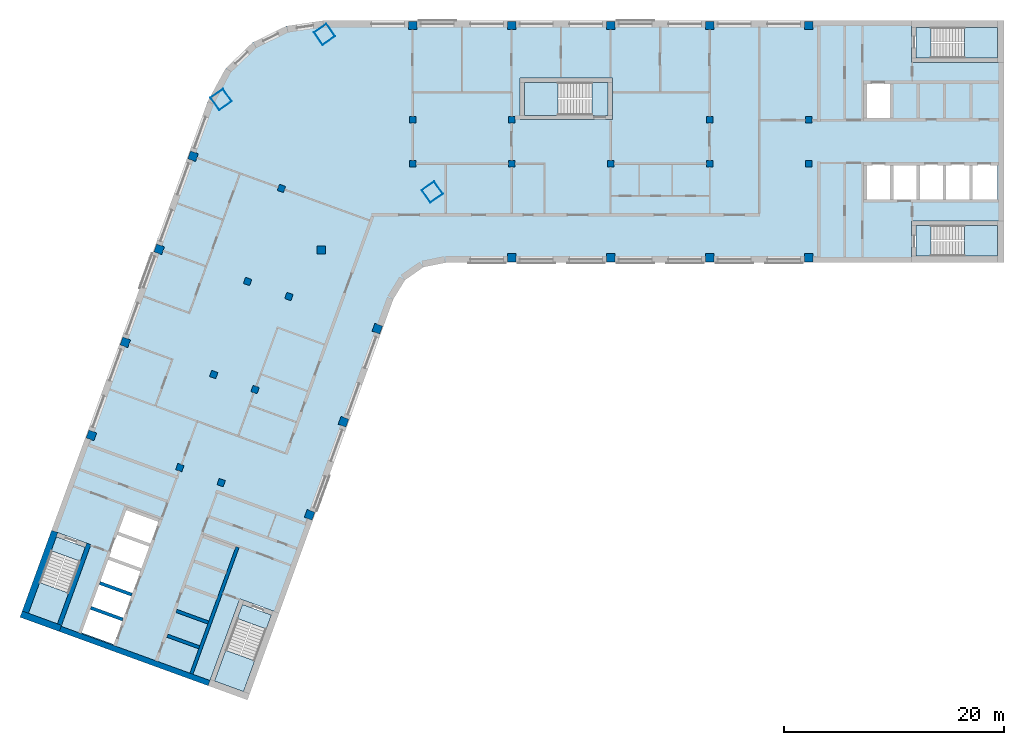
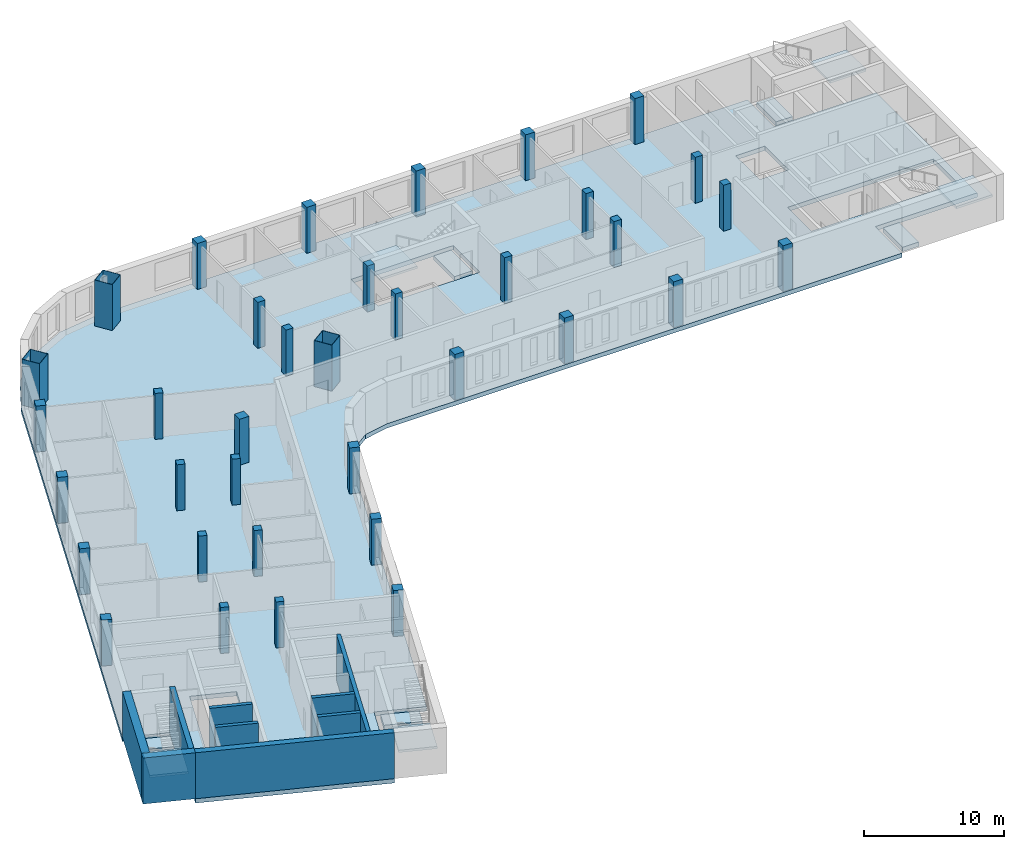
# One storey, part 1 of 8: 36 columns, 11 slabs, 9 walls, 5 elements without a shape of their own.
"""IFC4 building model written with IfcOpenShell, lengths in metres."""

from ifc_helpers import new_model, si_unit, direction, frame, frame_2d, origin, origin_2d, place, context, subcontext, project, spatial, polyline, rectangle, hollow_rectangle, outline, extrude, material, layer, layer_set, material_profile, profile_set, type_object, element, aggregate, save


model = new_model("IFC4")

# Units and contexts
model_context = context("Model", 3, precision=1e-05, world=origin(), true_north=direction((0.0, 1.0)))
body_context = subcontext(model_context, "Body", "Model", "MODEL_VIEW")
ifc_project = project(units=[si_unit("LENGTHUNIT", "METRE"), si_unit("AREAUNIT", "SQUARE_METRE"), si_unit("VOLUMEUNIT", "CUBIC_METRE"), si_unit("PLANEANGLEUNIT", "RADIAN"), si_unit("MASSUNIT", "GRAM", prefix="KILO")], contexts=[model_context])

# Site, building, storey
site_placement = place(None, origin())
site = spatial("IfcSite", under=ifc_project, at=site_placement, CompositionType="ELEMENT")
building_placement = place(site_placement, origin())
building = spatial("IfcBuilding", under=site, at=building_placement, Name="Skarvind Civic Tower", CompositionType="ELEMENT")
storey_placement = place(building_placement, frame((0.0, 0.0, 220.0)))
storey = spatial("IfcBuildingStorey", under=building, at=storey_placement, Name="L52", CompositionType="ELEMENT", Elevation=220.0)

# Columns
ifc_material_1 = material(Name="Concrete C60", Category="concrete")
ifc_material_profile_1 = material_profile(ifc_material_1, rectangle(XDim=0.60009765625, YDim=0.60009765625, at=origin_2d()), Name="RC-600x600")
ifc_profile_set_1 = profile_set([ifc_material_profile_1], Name="Concrete C60")
column_type_1 = type_object("IfcColumnType", Name="Column RC-600x600 C60", PredefinedType="COLUMN", material=ifc_profile_set_1)
for number, where, z_axis, x_axis, name in (
    (1, (54.25, 130.0, 0.0), (0.0, 0.0, 1.0), (1.0, 0.0, 0.0), "Column wing 1 north inner 02 L52"),
    (2, (63.25, 130.0, 0.0), (0.0, 0.0, 1.0), (1.0, 0.0, 0.0), "Column wing 1 north inner 03 L52"),
    (3, (81.25, 130.0, 0.0), (0.0, 0.0, 1.0), (1.0, 0.0, 0.0), "Column wing 1 north inner 05 L52"),
    (4, (90.25, 130.0, 0.0), (0.0, 0.0, 1.0), (1.0, 0.0, 0.0), "Column wing 1 north inner 06 L52"),
    (5, (54.25, 126.0, 0.0), (0.0, 0.0, 1.0), (1.0, 0.0, 0.0), "Column wing 1 south inner 02 L52"),
    (6, (63.25, 126.0, 0.0), (0.0, 0.0, 1.0), (1.0, 0.0, 0.0), "Column wing 1 south inner 03 L52"),
    (7, (72.25, 126.0, 0.0), (0.0, 0.0, 1.0), (1.0, 0.0, 0.0), "Column wing 1 south inner 04 L52"),
    (8, (81.25, 126.0, 0.0), (0.0, 0.0, 1.0), (1.0, 0.0, 0.0), "Column wing 1 south inner 05 L52"),
    (9, (90.25, 126.0, 0.0), (0.0, 0.0, 1.0), (1.0, 0.0, 0.0), "Column wing 1 south inner 06 L52"),
    (10, (43.005615234375, 113.92529296875, 0.0), (0.0, 0.0, 1.0), (-0.342020143326, -0.939692620786, 0.0), "Column wing 2 left inner 02 L52"),
    (11, (39.927490234375, 105.468017578125, 0.0), (0.0, 0.0, 1.0), (-0.342020143326, -0.939692620786, 0.0), "Column wing 2 left inner 03 L52"),
    (12, (36.84912109375, 97.010986328125, 0.0), (0.0, 0.0, 1.0), (-0.342020143326, -0.939692620786, 0.0), "Column wing 2 left inner 04 L52"),
    (13, (42.324951171875, 123.750732421875, 0.0), (0.0, 0.0, 1.0), (-0.342020143326, -0.939692620786, 0.0), "Column wing 2 right inner 01 L52"),
    (14, (39.246826171875, 115.29345703125, 0.0), (0.0, 0.0, 1.0), (-0.342020143326, -0.939692620786, 0.0), "Column wing 2 right inner 02 L52"),
    (15, (36.168701171875, 106.836181640625, 0.0), (0.0, 0.0, 1.0), (-0.342020143326, -0.939692620786, 0.0), "Column wing 2 right inner 03 L52"),
    (16, (33.090576171875, 98.37890625, 0.0), (0.0, 0.0, 1.0), (-0.342020143326, -0.939692620786, 0.0), "Column wing 2 right inner 04 L52"),
):
    element("IfcColumn", number, at=place(storey_placement, frame(where, z_axis=z_axis, x_axis=x_axis)), inside=storey, type_object=column_type_1, Name=name, PredefinedType="COLUMN", context=body_context, shape_type="SweptSolid", body=[
        extrude(rectangle(XDim=0.60009765625, YDim=0.60009765625, at=origin_2d()), origin(), (0.0, 0.0, 1.0), 4.0),
    ])
ifc_material_profile_2 = material_profile(ifc_material_1, rectangle(XDim=0.75, YDim=0.75, at=origin_2d()), Name="RC-750x750")
ifc_profile_set_2 = profile_set([ifc_material_profile_2], Name="Concrete C60")
column_type_2 = type_object("IfcColumnType", Name="Column RC-750x750 C60", PredefinedType="COLUMN", material=ifc_profile_set_2)
for number, where, z_axis, x_axis, name in (
    (17, (54.25, 138.550048828125, 0.0), (0.0, 0.0, 1.0), (1.0, 0.0, 0.0), "Column wing 1 north perimeter 02 L52"),
    (18, (63.25, 138.550048828125, 0.0), (0.0, 0.0, 1.0), (1.0, 0.0, 0.0), "Column wing 1 north perimeter 03 L52"),
    (19, (72.25, 138.550048828125, 0.0), (0.0, 0.0, 1.0), (1.0, 0.0, 0.0), "Column wing 1 north perimeter 04 L52"),
    (20, (81.25, 138.550048828125, 0.0), (0.0, 0.0, 1.0), (1.0, 0.0, 0.0), "Column wing 1 north perimeter 05 L52"),
    (21, (90.25, 138.550048828125, 0.0), (0.0, 0.0, 1.0), (1.0, 0.0, 0.0), "Column wing 1 north perimeter 06 L52"),
    (22, (45.95166015625, 118.151611328125, 0.0), (0.0, 0.0, 1.0), (1.0, 0.0, 0.0), "Column wing 1 south perimeter 01 L52"),
    (23, (63.25, 117.449951171875, 0.0), (0.0, 0.0, 1.0), (1.0, 0.0, 0.0), "Column wing 1 south perimeter 03 L52"),
    (24, (72.25, 117.449951171875, 0.0), (0.0, 0.0, 1.0), (1.0, 0.0, 0.0), "Column wing 1 south perimeter 04 L52"),
    (25, (81.25, 117.449951171875, 0.0), (0.0, 0.0, 1.0), (1.0, 0.0, 0.0), "Column wing 1 south perimeter 05 L52"),
    (26, (90.25, 117.449951171875, 0.0), (0.0, 0.0, 1.0), (1.0, 0.0, 0.0), "Column wing 1 south perimeter 06 L52"),
    (27, (51.0400390625, 111.0009765625, 0.0), (0.0, 0.0, 1.0), (-0.342020143326, -0.939692620786, 0.0), "Column wing 2 left perimeter 02 L52"),
    (28, (47.961669921875, 102.5439453125, 0.0), (0.0, 0.0, 1.0), (-0.342020143326, -0.939692620786, 0.0), "Column wing 2 left perimeter 03 L52"),
    (29, (44.883544921875, 94.086669921875, 0.0), (0.0, 0.0, 1.0), (-0.342020143326, -0.939692620786, 0.0), "Column wing 2 left perimeter 04 L52"),
    (30, (34.29052734375, 126.6748046875, 0.0), (0.0, 0.0, 1.0), (-0.342020143326, -0.939692620786, 0.0), "Column wing 2 right perimeter 01 L52"),
    (31, (31.21240234375, 118.2177734375, 0.0), (0.0, 0.0, 1.0), (-0.342020143326, -0.939692620786, 0.0), "Column wing 2 right perimeter 02 L52"),
    (32, (28.13427734375, 109.760498046875, 0.0), (0.0, 0.0, 1.0), (-0.342020143326, -0.939692620786, 0.0), "Column wing 2 right perimeter 03 L52"),
    (33, (25.05615234375, 101.30322265625, 0.0), (0.0, 0.0, 1.0), (-0.342020143326, -0.939692620786, 0.0), "Column wing 2 right perimeter 04 L52"),
):
    element("IfcColumn", number, at=place(storey_placement, frame(where, z_axis=z_axis, x_axis=x_axis)), inside=storey, type_object=column_type_2, Name=name, PredefinedType="COLUMN", context=body_context, shape_type="SweptSolid", body=[
        extrude(rectangle(XDim=0.75, YDim=0.75, at=origin_2d()), origin(), (0.0, 0.0, 1.0), 4.0),
    ])
ifc_material_2 = material(Name="Composite concrete-filled steel tube, Steel SM355 with Concrete C60", Category="concrete")
ifc_material_profile_3 = material_profile(ifc_material_2, hollow_rectangle(XDim=1.39990234375, YDim=1.39990234375, WallThickness=0.031982421875, at=origin_2d()), Name="BOX-1400x1400x32")
ifc_profile_set_3 = profile_set([ifc_material_profile_3], Name="Composite concrete-filled steel tube, Steel SM355 with Concrete C60")
column_type_3 = type_object("IfcColumnType", Name="Mega column BOX-1400x1400x32 filled C60", PredefinedType="COLUMN", material=ifc_profile_set_3)
for number, where, z_axis, x_axis, name in (
    (34, (36.845947265625, 131.837646484375, 0.0), (0.0, 0.0, 1.0), (0.573576436351, -0.819152044289, 0.0), "Mega column 1 L52"),
    (35, (46.2470703125, 137.762451171875, 0.0), (0.0, 0.0, 1.0), (0.573576436351, -0.819152044289, 0.0), "Mega column 2 L52"),
    (36, (56.0361328125, 123.43017578125, 0.0), (0.0, 0.0, 1.0), (0.573576436351, -0.819152044289, 0.0), "Mega column 4 L52"),
):
    element("IfcColumn", number, at=place(storey_placement, frame(where, z_axis=z_axis, x_axis=x_axis)), inside=storey, type_object=column_type_3, Name=name, PredefinedType="COLUMN", context=body_context, shape_type="SweptSolid", body=[
        extrude(hollow_rectangle(XDim=1.39990234375, YDim=1.39990234375, WallThickness=0.031982421875, at=origin_2d()), origin(), (0.0, 0.0, 1.0), 4.0),
    ])

# Slabs
ifc_material_3 = material(Name="Concrete C50", Category="concrete")
ifc_layer_1 = layer(ifc_material_3, 0.375)
ifc_layer_set_1 = layer_set([ifc_layer_1], Name="Floor slab 375 C50")
slab_type_1 = type_object("IfcSlabType", Name="Floor slab 375 C50", PredefinedType="FLOOR", material=ifc_layer_set_1)
slab_1_placement = place(storey_placement, frame((0.0, 0.0, -0.375)))
element("IfcSlab", 37, at=slab_1_placement, inside=storey, type_object=slab_type_1, Name="Floor slab L52 1", PredefinedType="FLOOR", context=body_context, shape_type="SweptSolid", body=[
    extrude(outline(polyline([(99.60009765625, 117.0), (99.60009765625, 120.800048828125), (108.0, 120.800048828125), (108.0, 135.199951171875), (99.60009765625, 135.199951171875), (99.60009765625, 139.0), (46.095458984375, 139.0), (42.739501953125, 138.5009765625), (39.6943359375, 137.005615234375), (37.24755859375, 134.6552734375), (35.630615234375, 131.672607421875), (19.41748046875, 87.126708984375), (21.435302734375, 92.6708984375), (25.006103515625, 91.371337890625), (22.13330078125, 83.477783203125), (36.886474609375, 78.108154296875), (35.664794921875, 78.552734375), (38.53759765625, 86.4462890625), (42.108642578125, 85.146484375), (40.0908203125, 79.602294921875), (40.0908203125, 79.602294921875), (52.493896484375, 113.68017578125), (53.560791015625, 115.421630859375), (55.23388671875, 116.593017578125), (57.235107421875, 117.0), (99.60009765625, 117.0)]), holes=[polyline([(25.671630859375, 87.9365234375), (26.492431640625, 90.19189453125), (27.313232421875, 92.447021484375), (28.134033203125, 94.702392578125), (31.3291015625, 93.53955078125), (30.50830078125, 91.2841796875), (29.6875, 89.029052734375), (28.866455078125, 86.773681640625), (28.866455078125, 86.773681640625), (28.045654296875, 84.5185546875), (27.224853515625, 82.26318359375), (24.02978515625, 83.426025390625), (24.8505859375, 85.681396484375), (25.671630859375, 87.9365234375), (25.671630859375, 87.9365234375)]), polyline([(64.0, 130.0), (64.0, 133.800048828125), (72.39990234375, 133.800048828125), (72.39990234375, 130.0), (64.0, 130.0)]), polyline([(97.800048828125, 126.0), (100.199951171875, 126.0), (102.60009765625, 126.0), (105.0, 126.0), (107.39990234375, 126.0), (107.39990234375, 122.60009765625), (105.0, 122.60009765625), (102.60009765625, 122.60009765625), (100.199951171875, 122.60009765625), (97.800048828125, 122.60009765625), (95.39990234375, 122.60009765625), (95.39990234375, 126.0), (97.800048828125, 126.0)]), polyline([(97.800048828125, 133.39990234375), (97.800048828125, 130.0), (95.39990234375, 130.0), (95.39990234375, 133.39990234375), (97.800048828125, 133.39990234375)])]), origin(), (0.0, 0.0, 1.0), 0.375),
])
ifc_material_4 = material(Name="Concrete C40/50", Category="concrete")
ifc_layer_2 = layer(ifc_material_4, 0.375)
ifc_layer_set_2 = layer_set([ifc_layer_2], Name="Stair floor landing slab 375")
slab_type_2 = type_object("IfcSlabType", Name="Stair floor landing slab 375", PredefinedType="LANDING", material=ifc_layer_set_2)
slab_2_placement = place(storey_placement, frame((0.0, 0.0, -0.375)))
element("IfcSlab", 38, at=slab_2_placement, inside=storey, type_object=slab_type_2, Name="Stair floor landing", PredefinedType="LANDING", context=body_context, shape_type="SweptSolid", body=[
    extrude(outline(polyline([(101.3505859375, 138.400634765625), (101.3505859375, 135.599365234375), (99.99951171875, 135.599365234375), (99.99951171875, 138.400634765625), (101.3505859375, 138.400634765625)])), origin(), (0.0, 0.0, 1.0), 0.375),
])
slab_3_placement = place(storey_placement, frame((0.0, 0.0, -0.375)))
element("IfcSlab", 39, at=slab_3_placement, inside=storey, type_object=slab_type_2, Name="Stair floor landing", PredefinedType="LANDING", context=body_context, shape_type="SweptSolid", body=[
    extrude(outline(polyline([(101.3505859375, 120.400634765625), (101.3505859375, 117.599365234375), (99.99951171875, 117.599365234375), (99.99951171875, 120.400634765625), (101.3505859375, 120.400634765625)])), origin(), (0.0, 0.0, 1.0), 0.375),
])
slab_4_placement = place(storey_placement, frame((0.0, 0.0, -0.375)))
element("IfcSlab", 40, at=slab_4_placement, inside=storey, type_object=slab_type_2, Name="Stair floor landing", PredefinedType="LANDING", context=body_context, shape_type="SweptSolid", body=[
    extrude(outline(polyline([(40.946533203125, 83.70654296875), (38.314208984375, 84.66455078125), (38.7763671875, 85.934326171875), (41.40869140625, 84.976318359375), (40.946533203125, 83.70654296875)])), origin(), (0.0, 0.0, 1.0), 0.375),
])
slab_5_placement = place(storey_placement, frame((0.0, 0.0, -0.375)))
element("IfcSlab", 41, at=slab_5_placement, inside=storey, type_object=slab_type_2, Name="Stair floor landing", PredefinedType="LANDING", context=body_context, shape_type="SweptSolid", body=[
    extrude(outline(polyline([(24.0322265625, 89.863037109375), (21.39990234375, 90.821044921875), (21.862060546875, 92.090576171875), (24.494384765625, 91.132568359375), (24.0322265625, 89.863037109375)])), origin(), (0.0, 0.0, 1.0), 0.375),
])
slab_6_placement = place(storey_placement, frame((0.0, 0.0, -0.375)))
element("IfcSlab", 42, at=slab_6_placement, inside=storey, type_object=slab_type_2, Name="Stair floor landing", PredefinedType="LANDING", context=body_context, shape_type="SweptSolid", body=[
    extrude(outline(polyline([(70.54931640625, 130.3994140625), (70.54931640625, 133.400634765625), (72.00048828125, 133.400634765625), (72.00048828125, 130.3994140625), (70.54931640625, 130.3994140625)])), origin(), (0.0, 0.0, 1.0), 0.375),
])

# Stair, slab
stair_type_1 = type_object("IfcStairType", Name="Exit stair, half-turn, concrete", PredefinedType="HALF_TURN_STAIR", material=ifc_material_4)
stair_1_placement = place(storey_placement, origin())
stair_1 = element("IfcStair", 43, at=stair_1_placement, inside=storey, type_object=stair_type_1, Name="Exit stair C1S", PredefinedType="HALF_TURN_STAIR")
ifc_layer_3 = layer(ifc_material_4, 0.199951171875)
ifc_layer_set_3 = layer_set([ifc_layer_3], Name="Stair half landing slab")
slab_type_3 = type_object("IfcSlabType", Name="Stair half landing slab", PredefinedType="LANDING", material=ifc_layer_set_3)
slab_7_placement = place(storey_placement, frame((0.0, 0.0, 1.800048828125)))
slab_7 = element("IfcSlab", 44, at=slab_7_placement, type_object=slab_type_3, Name="ST-C1S landing 1", PredefinedType="LANDING", context=body_context, shape_type="SweptSolid", body=[
    extrude(outline(polyline([(104.429443359375, 135.599365234375), (104.429443359375, 138.400634765625), (107.400634765625, 138.400634765625), (107.400634765625, 135.599365234375), (104.429443359375, 135.599365234375)])), origin(), (0.0, 0.0, 1.0), 0.199951171875),
])
aggregate(stair_1, [slab_7])

stair_2_placement = place(storey_placement, origin())
stair_2 = element("IfcStair", 45, at=stair_2_placement, inside=storey, type_object=stair_type_1, Name="Exit stair C1N", PredefinedType="HALF_TURN_STAIR")
slab_8_placement = place(storey_placement, frame((0.0, 0.0, 1.800048828125)))
slab_8 = element("IfcSlab", 46, at=slab_8_placement, type_object=slab_type_3, Name="ST-C1N landing 1", PredefinedType="LANDING", context=body_context, shape_type="SweptSolid", body=[
    extrude(outline(polyline([(104.429443359375, 117.599365234375), (104.429443359375, 120.400634765625), (107.400634765625, 120.400634765625), (107.400634765625, 117.599365234375), (104.429443359375, 117.599365234375)])), origin(), (0.0, 0.0, 1.0), 0.199951171875),
])
aggregate(stair_2, [slab_8])

stair_3_placement = place(storey_placement, origin())
stair_3 = element("IfcStair", 47, at=stair_3_placement, inside=storey, type_object=stair_type_1, Name="Exit stair C2S", PredefinedType="HALF_TURN_STAIR")
slab_9_placement = place(storey_placement, frame((0.0, 0.0, 1.800048828125)))
slab_9 = element("IfcSlab", 48, at=slab_9_placement, type_object=slab_type_3, Name="ST-C2S landing 1", PredefinedType="LANDING", context=body_context, shape_type="SweptSolid", body=[
    extrude(outline(polyline([(37.26123046875, 81.771484375), (39.8935546875, 80.8134765625), (38.87744140625, 78.021484375), (36.2451171875, 78.9794921875), (37.26123046875, 81.771484375)])), origin(), (0.0, 0.0, 1.0), 0.199951171875),
])
aggregate(stair_3, [slab_9])

stair_4_placement = place(storey_placement, origin())
stair_4 = element("IfcStair", 49, at=stair_4_placement, inside=storey, type_object=stair_type_1, Name="Exit stair C2N", PredefinedType="HALF_TURN_STAIR")
slab_10_placement = place(storey_placement, frame((0.0, 0.0, 1.800048828125)))
slab_10 = element("IfcSlab", 50, at=slab_10_placement, type_object=slab_type_3, Name="ST-C2N landing 1", PredefinedType="LANDING", context=body_context, shape_type="SweptSolid", body=[
    extrude(outline(polyline([(20.346923828125, 87.927734375), (22.97900390625, 86.9697265625), (21.962890625, 84.177734375), (19.33056640625, 85.1357421875), (20.346923828125, 87.927734375)])), origin(), (0.0, 0.0, 1.0), 0.199951171875),
])
aggregate(stair_4, [slab_10])

stair_type_2 = type_object("IfcStairType", Name="Exit stair 1450, half-turn, concrete", PredefinedType="HALF_TURN_STAIR", material=ifc_material_4)
stair_5_placement = place(storey_placement, origin())
stair_5 = element("IfcStair", 51, at=stair_5_placement, inside=storey, type_object=stair_type_2, Name="Exit stair CM", PredefinedType="HALF_TURN_STAIR")
slab_11_placement = place(storey_placement, frame((0.0, 0.0, 1.800048828125)))
slab_11 = element("IfcSlab", 52, at=slab_11_placement, type_object=slab_type_3, Name="ST-CM landing 1", PredefinedType="LANDING", context=body_context, shape_type="SweptSolid", body=[
    extrude(outline(polyline([(67.470703125, 133.400634765625), (67.470703125, 130.3994140625), (64.3994140625, 130.3994140625), (64.3994140625, 133.400634765625), (67.470703125, 133.400634765625)])), origin(), (0.0, 0.0, 1.0), 0.199951171875),
])
aggregate(stair_5, [slab_11])

# Walls
ifc_layer_4 = layer(ifc_material_1, 0.300048828125)
ifc_layer_set_4 = layer_set([ifc_layer_4], Name="Core wall 300 C60")
wall_type_1 = type_object("IfcWallType", Name="Core wall 300 C60", PredefinedType="SHEAR", material=ifc_layer_set_4)
wall_1_placement = place(storey_placement, frame((34.144287109375, 79.638427734375, 0.0), z_axis=(0.0, 0.0, 1.0), x_axis=(0.342016684409, 0.939693879721, 0.0)))
element("IfcWall", 53, at=wall_1_placement, inside=storey, type_object=wall_type_1, Name="Core wall C2 south lift row back L52", PredefinedType="SHEAR", context=body_context, shape_type="SweptSolid", body=[
    extrude(rectangle(XDim=12.25, YDim=0.300048828125, at=frame_2d((6.125, 0.0))), origin(), (0.0, 0.0, 1.0), 4.0),
])
wall_2_placement = place(storey_placement, frame((34.8583984375, 82.038818359375, 0.0), z_axis=(0.0, 0.0, 1.0), x_axis=(-0.939689908313, 0.342027595692, 0.0)))
element("IfcWall", 54, at=wall_2_placement, inside=storey, type_object=wall_type_1, Name="Core wall C2 south lift row division 1 L52", PredefinedType="SHEAR", context=body_context, shape_type="SweptSolid", body=[
    extrude(rectangle(XDim=3.10009765625, YDim=0.300048828125, at=frame_2d((1.550048828125, 0.0))), origin(), (0.0, 0.0, 1.0), 4.0),
])
wall_3_placement = place(storey_placement, frame((35.67919921875, 84.294189453125, 0.0), z_axis=(0.0, 0.0, 1.0), x_axis=(-0.939706007505, 0.341983361377, 0.0)))
element("IfcWall", 55, at=wall_3_placement, inside=storey, type_object=wall_type_1, Name="Core wall C2 south lift row division 2 L52", PredefinedType="SHEAR", context=body_context, shape_type="SweptSolid", body=[
    extrude(rectangle(XDim=3.099853515625, YDim=0.300048828125, at=frame_2d((1.5498046875, 0.0))), origin(), (0.0, 0.0, 1.0), 4.0),
])
for number, where, z_axis, x_axis, name in (
    (56, (27.90478515625, 84.56982421875, 0.0), (0.0, 0.0, 1.0), (-0.939689908313, 0.342027595692, 0.0), "Core wall C2 north lift row division 1 L52"),
    (57, (28.7255859375, 86.824951171875, 0.0), (0.0, 0.0, 1.0), (-0.939689908313, 0.342027595692, 0.0), "Core wall C2 north lift row division 2 L52"),
):
    element("IfcWall", number, at=place(storey_placement, frame(where, z_axis=z_axis, x_axis=x_axis)), inside=storey, type_object=wall_type_1, Name=name, PredefinedType="SHEAR", context=body_context, shape_type="SweptSolid", body=[
        extrude(rectangle(XDim=3.10009765625, YDim=0.300048828125, at=frame_2d((1.550048828125, 0.0))), origin(), (0.0, 0.0, 1.0), 4.0),
    ])
ifc_layer_5 = layer(ifc_material_1, 0.39990234375)
ifc_layer_set_5 = layer_set([ifc_layer_5], Name="Core wall 400 C60")
wall_type_2 = type_object("IfcWallType", Name="Core wall 400 C60", PredefinedType="SHEAR", material=ifc_layer_set_5)
wall_4_placement = place(storey_placement, frame((22.150390625, 84.110107421875, 0.0), z_axis=(0.0, 0.0, 1.0), x_axis=(0.342016982193, 0.939693771338, 0.0)))
element("IfcWall", 58, at=wall_4_placement, inside=storey, type_object=wall_type_2, Name="Core wall C2 north stair inner L52", PredefinedType="SHEAR", context=body_context, shape_type="SweptSolid", body=[
    extrude(rectangle(XDim=7.800048828125, YDim=0.39990234375, at=frame_2d((3.89990234375, 0.0))), origin(), (0.0, 0.0, 1.0), 4.0),
])
ifc_layer_6 = layer(ifc_material_1, 0.5)
ifc_layer_set_6 = layer_set([ifc_layer_6], Name="Core wall 500 C60")
wall_type_3 = type_object("IfcWallType", Name="Core wall 500 C60", PredefinedType="SHEAR", material=ifc_layer_set_6)
wall_5_placement = place(storey_placement, frame((35.750244140625, 78.787841796875, 0.0), z_axis=(0.0, 0.0, 1.0), x_axis=(-0.939692894512, 0.342019391267, 0.0)))
element("IfcWall", 59, at=wall_5_placement, inside=storey, type_object=wall_type_3, Name="Core wall C2 tip between the stairs L52", PredefinedType="SHEAR", context=body_context, shape_type="SweptSolid", body=[
    extrude(rectangle(XDim=14.39990234375, YDim=0.5, at=frame_2d((7.199951171875, 0.0))), origin(), (0.0, 0.0, 1.0), 4.0),
])
ifc_layer_7 = layer(ifc_material_1, 0.60009765625)
ifc_layer_set_7 = layer_set([ifc_layer_7], Name="Core wall 600 C60")
wall_type_4 = type_object("IfcWallType", Name="Core wall 600 C60", PredefinedType="SHEAR", material=ifc_layer_set_7)
wall_6_placement = place(storey_placement, frame((22.23583984375, 83.759765625, 0.0), z_axis=(0.0, 0.0, 1.0), x_axis=(-0.939680822529, 0.342052557032, 0.0)))
element("IfcWall", 60, at=wall_6_placement, inside=storey, type_object=wall_type_4, Name="Core wall C2 tip at the north stair L52", PredefinedType="SHEAR", context=body_context, shape_type="SweptSolid", body=[
    extrude(rectangle(XDim=3.800048828125, YDim=0.60009765625, at=frame_2d((1.89990234375, 0.0))), origin(), (0.0, 0.0, 1.0), 4.0),
])
wall_7_placement = place(storey_placement, frame((19.049560546875, 85.23876953125, 0.0), z_axis=(0.0, 0.0, 1.0), x_axis=(0.342016982193, 0.939693771338, 0.0)))
element("IfcWall", 61, at=wall_7_placement, inside=storey, type_object=wall_type_4, Name="Core wall C2 north side at the stair L52", PredefinedType="SHEAR", context=body_context, shape_type="SweptSolid", body=[
    extrude(rectangle(XDim=7.800048828125, YDim=0.60009765625, at=frame_2d((3.89990234375, 0.0))), origin(), (0.0, 0.0, 1.0), 4.0),
])

save(model, "model.ifc")
